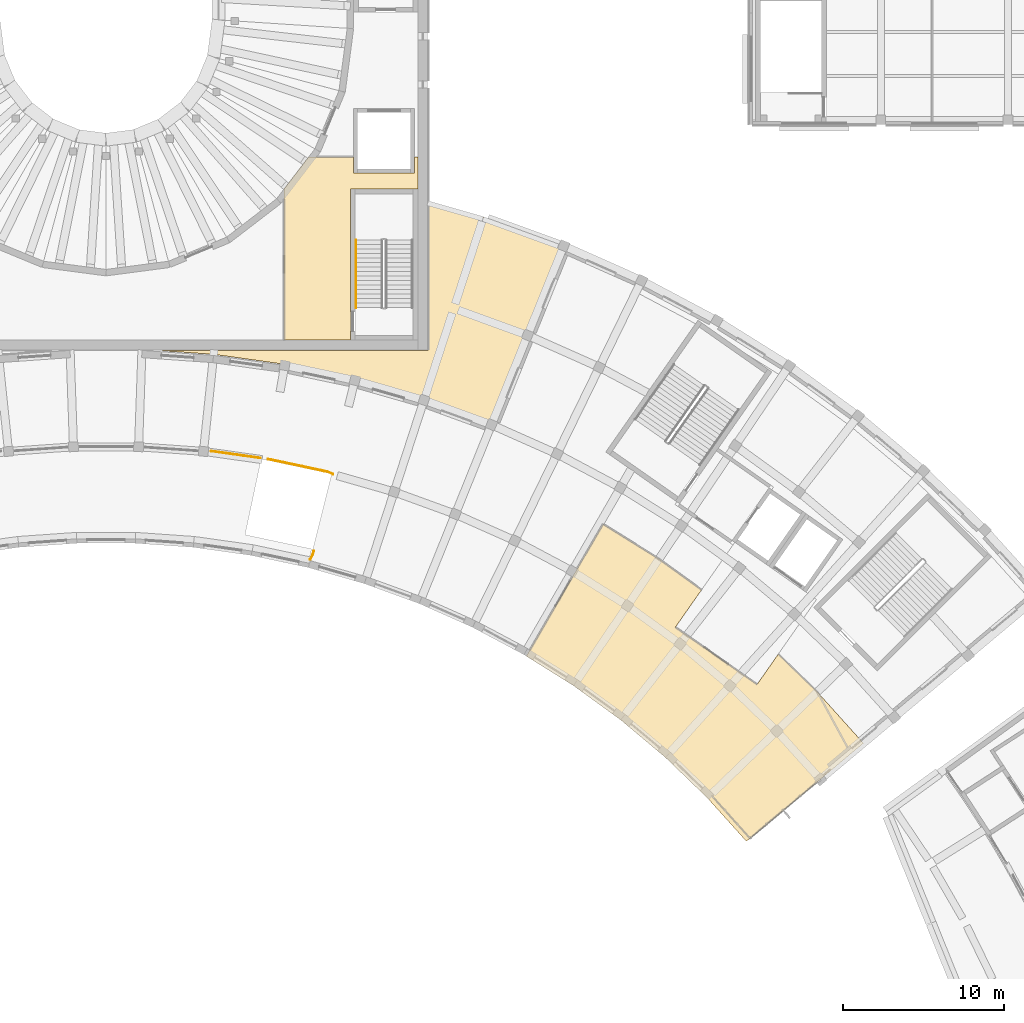
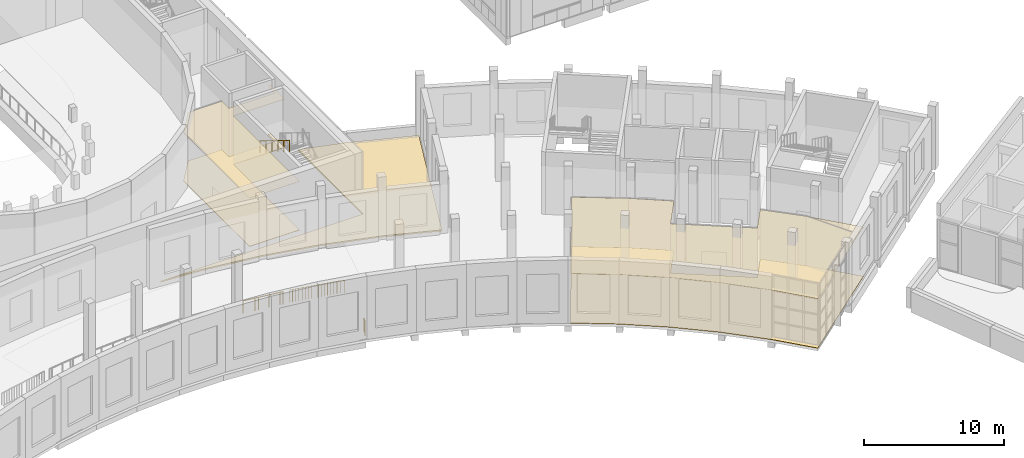
# One storey, part 109 of 132: 5 coverings, 4 railings.
"""IFC4 building model written with IfcOpenShell, lengths in metres."""

from ifc_helpers import new_model, si_unit, direction, frame, origin, origin_2d, place, context, subcontext, project, spatial, polyline, circle, outline, extrude, material, layer, layer_set, type_object, element, save


model = new_model("IFC4")

# Units and contexts
model_context = context("Model", 3, precision=1e-05, world=origin(), true_north=direction((0.0, 1.0)))
body_context = subcontext(model_context, "Body", "Model", "MODEL_VIEW")
ifc_project = project(units=[si_unit("LENGTHUNIT", "METRE"), si_unit("AREAUNIT", "SQUARE_METRE"), si_unit("VOLUMEUNIT", "CUBIC_METRE"), si_unit("PLANEANGLEUNIT", "RADIAN"), si_unit("MASSUNIT", "GRAM", prefix="KILO")], contexts=[model_context])

# Site, building, storey
site_placement = place(None, origin())
site = spatial("IfcSite", under=ifc_project, at=site_placement, CompositionType="ELEMENT")
building_placement = place(site_placement, origin())
building = spatial("IfcBuilding", under=site, at=building_placement, Name="Lunette Opera House", CompositionType="ELEMENT")
storey_placement = place(building_placement, frame((0.0, 0.0, 17.0)))
storey = spatial("IfcBuildingStorey", under=building, at=storey_placement, Name="L03", CompositionType="ELEMENT", Elevation=17.0)

# Railings
ifc_material_1 = material(Name="Steel S355", Category="steel")
railing_type_1 = type_object("IfcRailingType", Name="DECK GUARD 1100", PredefinedType="GUARDRAIL", material=ifc_material_1)
railing_1_placement = place(storey_placement, frame((102.5458984375, 57.695068359375, 0.0)))
element("IfcRailing", 1, at=railing_1_placement, inside=storey, type_object=railing_type_1, Name="Deck guard 026", PredefinedType="GUARDRAIL", context=body_context, shape_type="SweptSolid", body=[
    extrude(circle(Radius=0.02392578125, at=origin_2d()), frame((0.0, 0.0, 1.076171875), z_axis=(0.990335409448, -0.138693102902, 0.0), x_axis=(0.138693102902, 0.990335409448, 0.0)), (0.0, 0.0, 1.0), 0.952392578125),
    extrude(circle(Radius=0.02392578125, at=origin_2d()), frame((0.943115234375, -0.132080078125, 1.076171875), z_axis=(0.989826287624, -0.142281131313, 0.0), x_axis=(0.142281131313, 0.989826287624, 0.0)), (0.0, 0.0, 1.0), 0.238525390625),
    extrude(circle(Radius=0.02392578125, at=origin_2d()), frame((1.17919921875, -0.166015625, 1.076171875), z_axis=(0.990355416722, -0.138550166255, 0.0), x_axis=(0.138550166255, 0.990355416722, 0.0)), (0.0, 0.0, 1.0), 1.6669921875),
    extrude(circle(Radius=0.02392578125, at=origin_2d()), frame((2.830078125, -0.39697265625, 1.076171875), z_axis=(0.989597082032, -0.143866657824, 0.0), x_axis=(0.143866657824, 0.989597082032, 0.0)), (0.0, 0.0, 1.0), 0.237548828125),
    extrude(circle(Radius=0.02099609375, at=origin_2d()), origin(), (0.0, 0.0, 1.0), 1.052001953125),
    extrude(circle(Radius=0.02099609375, at=origin_2d()), frame((0.943115234375, -0.132080078125, 0.0)), (0.0, 0.0, 1.0), 1.052001953125),
    extrude(circle(Radius=0.02099609375, at=origin_2d()), frame((1.17919921875, -0.166015625, 0.0)), (0.0, 0.0, 1.0), 1.052001953125),
    extrude(circle(Radius=0.02099609375, at=origin_2d()), frame((2.004638671875, -0.281494140625, 0.0)), (0.0, 0.0, 1.0), 1.052001953125),
    extrude(circle(Radius=0.02099609375, at=origin_2d()), frame((2.830078125, -0.39697265625, 0.0)), (0.0, 0.0, 1.0), 1.052001953125),
    extrude(circle(Radius=0.02099609375, at=origin_2d()), frame((3.065185546875, -0.43115234375, 0.0)), (0.0, 0.0, 1.0), 1.052001953125),
])
railing_2_placement = place(storey_placement, frame((106.089111328125, 57.197021484375, 0.0)))
element("IfcRailing", 2, at=railing_2_placement, inside=storey, type_object=railing_type_1, Name="Deck guard 027", PredefinedType="GUARDRAIL", context=body_context, shape_type="SweptSolid", body=[
    extrude(circle(Radius=0.02392578125, at=origin_2d()), frame((0.0, 0.0, 1.076171875), z_axis=(0.978517124445, -0.206165557666, 0.0), x_axis=(0.206165557666, 0.978517124445, 0.0)), (0.0, 0.0, 1.0), 0.238037109375),
    extrude(circle(Radius=0.02392578125, at=origin_2d()), frame((0.23291015625, -0.049072265625, 1.076171875), z_axis=(0.977500248691, -0.210934264191, 0.0), x_axis=(0.210934264191, 0.977500248691, 0.0)), (0.0, 0.0, 1.0), 0.2373046875),
    extrude(circle(Radius=0.02392578125, at=origin_2d()), frame((0.46484375, -0.09912109375, 1.076171875), z_axis=(0.978766722274, -0.204977324036, 0.0), x_axis=(0.204977324036, 0.978766722274, 0.0)), (0.0, 0.0, 1.0), 0.23828125),
    extrude(circle(Radius=0.02392578125, at=origin_2d()), frame((0.697998046875, -0.14794921875, 1.076171875), z_axis=(0.977682274356, -0.210088958326, 0.0), x_axis=(0.210088958326, 0.977682274356, 0.0)), (0.0, 0.0, 1.0), 0.23828125),
    extrude(circle(Radius=0.02392578125, at=origin_2d()), frame((0.930908203125, -0.197998046875, 1.076171875), z_axis=(0.978517124445, -0.206165557666, 0.0), x_axis=(0.206165557666, 0.978517124445, 0.0)), (0.0, 0.0, 1.0), 0.238037109375),
    extrude(circle(Radius=0.02392578125, at=origin_2d()), frame((1.163818359375, -0.2470703125, 1.076171875), z_axis=(0.977727439508, -0.209878665025, 0.0), x_axis=(0.209878665025, 0.977727439508, 0.0)), (0.0, 0.0, 1.0), 0.238525390625),
    extrude(circle(Radius=0.02392578125, at=origin_2d()), frame((1.39697265625, -0.297119140625, 1.076171875), z_axis=(0.978723596062, -0.205183143829, 0.0), x_axis=(0.205183143829, 0.978723596062, 0.0)), (0.0, 0.0, 1.0), 0.238037109375),
    extrude(circle(Radius=0.02392578125, at=origin_2d()), frame((1.6298828125, -0.345947265625, 1.076171875), z_axis=(0.977704873894, -0.209983760239, 0.0), x_axis=(0.209983760239, 0.977704873894, 0.0)), (0.0, 0.0, 1.0), 0.476806640625),
    extrude(circle(Radius=0.02392578125, at=origin_2d()), frame((2.095947265625, -0.446044921875, 1.076171875), z_axis=(0.978341682443, -0.206996503338, 0.0), x_axis=(0.206996503338, 0.978341682443, 0.0)), (0.0, 0.0, 1.0), 0.237060546875),
    extrude(circle(Radius=0.02392578125, at=origin_2d()), frame((2.327880859375, -0.4951171875, 1.076171875), z_axis=(0.977892327763, -0.20910905122, 0.0), x_axis=(0.20910905122, 0.977892327763, 0.0)), (0.0, 0.0, 1.0), 0.23828125),
    extrude(circle(Radius=0.02392578125, at=origin_2d()), frame((2.560791015625, -0.544921875, 1.076171875), z_axis=(0.978560655463, -0.205958839527, 0.0), x_axis=(0.205958839527, 0.978560655463, 0.0)), (0.0, 0.0, 1.0), 0.23828125),
    extrude(circle(Radius=0.02392578125, at=origin_2d()), frame((2.7939453125, -0.593994140625, 1.076171875), z_axis=(0.977682274356, -0.210088958326, 0.0), x_axis=(0.210088958326, 0.977682274356, 0.0)), (0.0, 0.0, 1.0), 0.23828125),
    extrude(circle(Radius=0.02392578125, at=origin_2d()), frame((3.02685546875, -0.64404296875, 1.076171875), z_axis=(0.978560655463, -0.205958839527, 0.0), x_axis=(0.205958839527, 0.978560655463, 0.0)), (0.0, 0.0, 1.0), 0.23828125),
    extrude(circle(Radius=0.02392578125, at=origin_2d()), frame((3.260009765625, -0.693115234375, 1.076171875), z_axis=(0.977892327763, -0.20910905122, 0.0), x_axis=(0.20910905122, 0.977892327763, 0.0)), (0.0, 0.0, 1.0), 0.23828125),
    extrude(circle(Radius=0.02392578125, at=origin_2d()), frame((3.492919921875, -0.742919921875, 1.076171875), z_axis=(0.978517124445, -0.206165557666, 0.0), x_axis=(0.206165557666, 0.978517124445, 0.0)), (0.0, 0.0, 1.0), 0.238037109375),
    extrude(circle(Radius=0.02392578125, at=origin_2d()), frame((3.725830078125, -0.7919921875, 1.076171875), z_axis=(0.894427191, -0.4472135955, 0.0), x_axis=(0.4472135955, 0.894427191, 0.0)), (0.0, 0.0, 1.0), 0.32861328125),
    extrude(circle(Radius=0.02099609375, at=origin_2d()), origin(), (0.0, 0.0, 1.0), 1.052001953125),
    extrude(circle(Radius=0.02099609375, at=origin_2d()), frame((0.23291015625, -0.049072265625, 0.0)), (0.0, 0.0, 1.0), 1.052001953125),
    extrude(circle(Radius=0.02099609375, at=origin_2d()), frame((0.46484375, -0.09912109375, 0.0)), (0.0, 0.0, 1.0), 1.052001953125),
    extrude(circle(Radius=0.02099609375, at=origin_2d()), frame((0.697998046875, -0.14794921875, 0.0)), (0.0, 0.0, 1.0), 1.052001953125),
    extrude(circle(Radius=0.02099609375, at=origin_2d()), frame((0.930908203125, -0.197998046875, 0.0)), (0.0, 0.0, 1.0), 1.052001953125),
    extrude(circle(Radius=0.02099609375, at=origin_2d()), frame((1.163818359375, -0.2470703125, 0.0)), (0.0, 0.0, 1.0), 1.052001953125),
    extrude(circle(Radius=0.02099609375, at=origin_2d()), frame((1.39697265625, -0.297119140625, 0.0)), (0.0, 0.0, 1.0), 1.052001953125),
    extrude(circle(Radius=0.02099609375, at=origin_2d()), frame((1.6298828125, -0.345947265625, 0.0)), (0.0, 0.0, 1.0), 1.052001953125),
    extrude(circle(Radius=0.02099609375, at=origin_2d()), frame((2.095947265625, -0.446044921875, 0.0)), (0.0, 0.0, 1.0), 1.052001953125),
    extrude(circle(Radius=0.02099609375, at=origin_2d()), frame((2.327880859375, -0.4951171875, 0.0)), (0.0, 0.0, 1.0), 1.052001953125),
    extrude(circle(Radius=0.02099609375, at=origin_2d()), frame((2.560791015625, -0.544921875, 0.0)), (0.0, 0.0, 1.0), 1.052001953125),
    extrude(circle(Radius=0.02099609375, at=origin_2d()), frame((2.7939453125, -0.593994140625, 0.0)), (0.0, 0.0, 1.0), 1.052001953125),
    extrude(circle(Radius=0.02099609375, at=origin_2d()), frame((3.02685546875, -0.64404296875, 0.0)), (0.0, 0.0, 1.0), 1.052001953125),
    extrude(circle(Radius=0.02099609375, at=origin_2d()), frame((3.260009765625, -0.693115234375, 0.0)), (0.0, 0.0, 1.0), 1.052001953125),
    extrude(circle(Radius=0.02099609375, at=origin_2d()), frame((3.492919921875, -0.742919921875, 0.0)), (0.0, 0.0, 1.0), 1.052001953125),
    extrude(circle(Radius=0.02099609375, at=origin_2d()), frame((3.725830078125, -0.7919921875, 0.0)), (0.0, 0.0, 1.0), 1.052001953125),
    extrude(circle(Radius=0.02099609375, at=origin_2d()), frame((4.019775390625, -0.93896484375, 0.0)), (0.0, 0.0, 1.0), 1.052001953125),
])
railing_3_placement = place(storey_placement, frame((108.9208984375, 51.4951171875, 0.0)))
element("IfcRailing", 3, at=railing_3_placement, inside=storey, type_object=railing_type_1, Name="Deck guard 028", PredefinedType="GUARDRAIL", context=body_context, shape_type="SweptSolid", body=[
    extrude(circle(Radius=0.02392578125, at=origin_2d()), frame((0.0, 0.0, 1.076171875), z_axis=(-0.239957727602, -0.970783337807, 0.0), x_axis=(0.970783337807, -0.239957727602, 0.0)), (0.0, 0.0, 1.0), 0.2451171875),
    extrude(circle(Radius=0.02392578125, at=origin_2d()), frame((-0.058837890625, -0.238037109375, 1.076171875), z_axis=(-0.460295871671, -0.887765571828, 0.0), x_axis=(0.887765571828, -0.460295871671, 0.0)), (0.0, 0.0, 1.0), 0.334716796875),
    extrude(circle(Radius=0.02099609375, at=origin_2d()), origin(), (0.0, 0.0, 1.0), 1.052001953125),
    extrude(circle(Radius=0.02099609375, at=origin_2d()), frame((-0.058837890625, -0.238037109375, 0.0)), (0.0, 0.0, 1.0), 1.052001953125),
    extrude(circle(Radius=0.02099609375, at=origin_2d()), frame((-0.212890625, -0.53515625, 0.0)), (0.0, 0.0, 1.0), 1.052001953125),
])

# Covering
ifc_material_2 = material(Name="Bitumen membrane on mineral wool")
ifc_layer_1 = layer(ifc_material_2, 0.1201171875)
ifc_layer_set_1 = layer_set([ifc_layer_1], Name="Bitumen membrane on mineral wool")
covering_type_1 = type_object("IfcCoveringType", Name="FLAT ROOF MEMBRANE 120", PredefinedType="ROOFING", material=ifc_layer_set_1)
covering_1_placement = place(storey_placement, origin())
element("IfcCovering", 4, at=covering_1_placement, inside=storey, type_object=covering_type_1, Name="Flat roof membrane FC L02 12", PredefinedType="ROOFING", context=body_context, shape_type="SweptSolid", body=[
    extrude(outline(polyline([(99.39306640625, 63.949951171875), (116.0, 63.949951171875), (116.0048828125, 63.949951171875), (116.010009765625, 63.950927734375), (116.014892578125, 63.951904296875), (116.01904296875, 63.9541015625), (116.02392578125, 63.9560546875), (116.028076171875, 63.9580078125), (116.031982421875, 63.9609375), (116.034912109375, 63.965087890625), (116.0390625, 63.968017578125), (116.0419921875, 63.971923828125), (116.0439453125, 63.97607421875), (116.0458984375, 63.98095703125), (116.048095703125, 63.985107421875), (116.049072265625, 63.989990234375), (116.050048828125, 63.9951171875), (116.050048828125, 64.0), (116.050048828125, 73.214111328125), (119.469970703125, 72.23193359375), (124.385009765625, 70.444091796875), (119.93505859375, 59.428955078125), (115.801025390625, 60.93408203125), (115.799072265625, 60.93408203125), (115.798095703125, 60.93505859375), (115.7958984375, 60.93505859375), (111.501953125, 62.166015625), (111.5009765625, 62.1669921875), (111.4990234375, 62.1669921875), (111.498046875, 62.1669921875), (107.1279296875, 63.095947265625), (107.1259765625, 63.096923828125), (107.1240234375, 63.096923828125), (107.123046875, 63.096923828125), (102.699951171875, 63.718017578125), (102.697998046875, 63.718994140625), (102.697021484375, 63.718994140625), (102.695068359375, 63.718994140625), (99.39306640625, 63.949951171875)])), origin(), (0.0, 0.0, 1.0), 0.1201171875),
])

# Railing
ifc_material_3 = material(Name="Steel S355", Category="steel")
railing_type_2 = type_object("IfcRailingType", Name="STAIR HANDRAIL 1000", PredefinedType="HANDRAIL", material=ifc_material_3)
railing_4_placement = place(storey_placement, frame((111.550048828125, 70.820068359375, 2.921875)))
element("IfcRailing", 5, at=railing_4_placement, inside=storey, type_object=railing_type_2, Name="L03 ST8 stair handrail 2", PredefinedType="HANDRAIL", context=body_context, shape_type="SweptSolid", body=[
    extrude(circle(Radius=0.02392578125, at=origin_2d()), frame((0.0, 0.0, 0.97607421875), z_axis=(0.0, -0.852242915053, 0.523146264196), x_axis=(1.0, 0.0, 0.0)), (0.0, 0.0, 1.0), 4.92822265625),
    extrude(circle(Radius=0.02099609375, at=origin_2d()), origin(), (0.0, 0.0, 1.0), 0.951904296875),
    extrude(circle(Radius=0.02099609375, at=origin_2d()), frame((0.0, -0.840087890625, 0.515625)), (0.0, 0.0, 1.0), 0.951904296875),
    extrude(circle(Radius=0.02099609375, at=origin_2d()), frame((0.0, -1.679931640625, 1.03125)), (0.0, 0.0, 1.0), 0.951904296875),
    extrude(circle(Radius=0.02099609375, at=origin_2d()), frame((0.0, -2.52001953125, 1.546875)), (0.0, 0.0, 1.0), 0.951904296875),
    extrude(circle(Radius=0.02099609375, at=origin_2d()), frame((0.0, -3.35986328125, 2.0625)), (0.0, 0.0, 1.0), 0.951904296875),
    extrude(circle(Radius=0.02099609375, at=origin_2d()), frame((0.0, -4.199951171875, 2.578125)), (0.0, 0.0, 1.0), 0.951904296875),
])

# Coverings
ifc_material_4 = material(Name="Mineral fibre board")
ifc_layer_2 = layer(ifc_material_4, 0.014892578125)
ifc_layer_set_2 = layer_set([ifc_layer_2], Name="Mineral fibre board")
covering_type_2 = type_object("IfcCoveringType", Name="SUSPENDED ACOUSTIC CEILING 15", PredefinedType="CEILING", material=ifc_layer_set_2)
covering_2_placement = place(storey_placement, frame((0.0, 0.0, 4.31494140625)))
element("IfcCovering", 6, at=covering_2_placement, inside=storey, type_object=covering_type_2, Name="Ceiling Second Tier Bar", PredefinedType="CEILING", context=body_context, shape_type="SweptSolid", body=[
    extrude(outline(polyline([(133.406005859375, 36.1220703125), (130.794921875, 38.64404296875), (128.013916015625, 40.97705078125), (125.077880859375, 43.110107421875), (124.840087890625, 43.259033203125), (122.14501953125, 44.943115234375), (126.9208984375, 53.153076171875), (130.389892578125, 50.986083984375), (133.0390625, 49.06103515625), (131.4140625, 46.739990234375), (136.491943359375, 43.18408203125), (137.81103515625, 45.06689453125), (140.239013671875, 42.720947265625), (143.112060546875, 39.531005859375), (139.1640625, 36.218994140625), (135.833984375, 33.425048828125), (134.14501953125, 35.302001953125), (133.406005859375, 36.1220703125)])), origin(), (0.0, 0.0, 1.0), 0.01513671875),
])
covering_3_placement = place(storey_placement, frame((0.0, 0.0, 4.235107421875)))
element("IfcCovering", 7, at=covering_3_placement, inside=storey, type_object=covering_type_2, Name="Ceiling Followspot Gallery", PredefinedType="CEILING", context=body_context, shape_type="SweptSolid", body=[
    extrude(outline(polyline([(107.0849609375, 64.60009765625), (107.0849609375, 74.01708984375), (108.60693359375, 76.0), (111.39990234375, 76.0), (111.39990234375, 75.0), (115.199951171875, 75.0), (115.199951171875, 76.0), (115.39990234375, 76.0), (115.39990234375, 74.0), (111.199951171875, 74.0), (111.199951171875, 64.60009765625), (107.0849609375, 64.60009765625)])), origin(), (0.0, 0.0, 1.0), 0.014892578125),
])
ifc_material_5 = material(Name="Timber", Category="wood")
ifc_layer_3 = layer(ifc_material_5, 0.0400390625)
ifc_layer_set_3 = layer_set([ifc_layer_3], Name="Timber")
covering_type_3 = type_object("IfcCoveringType", Name="TIMBER FLOOR FINISH 40", PredefinedType="FLOORING", material=ifc_layer_set_3)
covering_4_placement = place(storey_placement, origin())
element("IfcCovering", 8, at=covering_4_placement, inside=storey, type_object=covering_type_3, Name="Floor finish Second Tier Bar", PredefinedType="FLOORING", context=body_context, shape_type="SweptSolid", body=[
    extrude(outline(polyline([(133.406005859375, 36.1220703125), (130.794921875, 38.64404296875), (128.013916015625, 40.97705078125), (125.077880859375, 43.110107421875), (124.840087890625, 43.259033203125), (122.14501953125, 44.943115234375), (126.9208984375, 53.153076171875), (130.389892578125, 50.986083984375), (133.0390625, 49.06103515625), (131.4140625, 46.739990234375), (136.491943359375, 43.18408203125), (137.81103515625, 45.06689453125), (140.239013671875, 42.720947265625), (143.112060546875, 39.531005859375), (139.1640625, 36.218994140625), (135.833984375, 33.425048828125), (134.14501953125, 35.302001953125), (133.406005859375, 36.1220703125)])), origin(), (0.0, 0.0, 1.0), 0.0400390625),
])
covering_5_placement = place(storey_placement, origin())
element("IfcCovering", 9, at=covering_5_placement, inside=storey, type_object=covering_type_3, Name="Floor finish Followspot Gallery", PredefinedType="FLOORING", context=body_context, shape_type="SweptSolid", body=[
    extrude(outline(polyline([(107.0849609375, 64.60009765625), (107.0849609375, 74.01708984375), (108.60693359375, 76.0), (111.39990234375, 76.0), (111.39990234375, 75.0), (115.199951171875, 75.0), (115.199951171875, 76.0), (115.39990234375, 76.0), (115.39990234375, 74.0), (111.199951171875, 74.0), (111.199951171875, 64.60009765625), (107.0849609375, 64.60009765625)])), origin(), (0.0, 0.0, 1.0), 0.0400390625),
])

save(model, "model.ifc")
